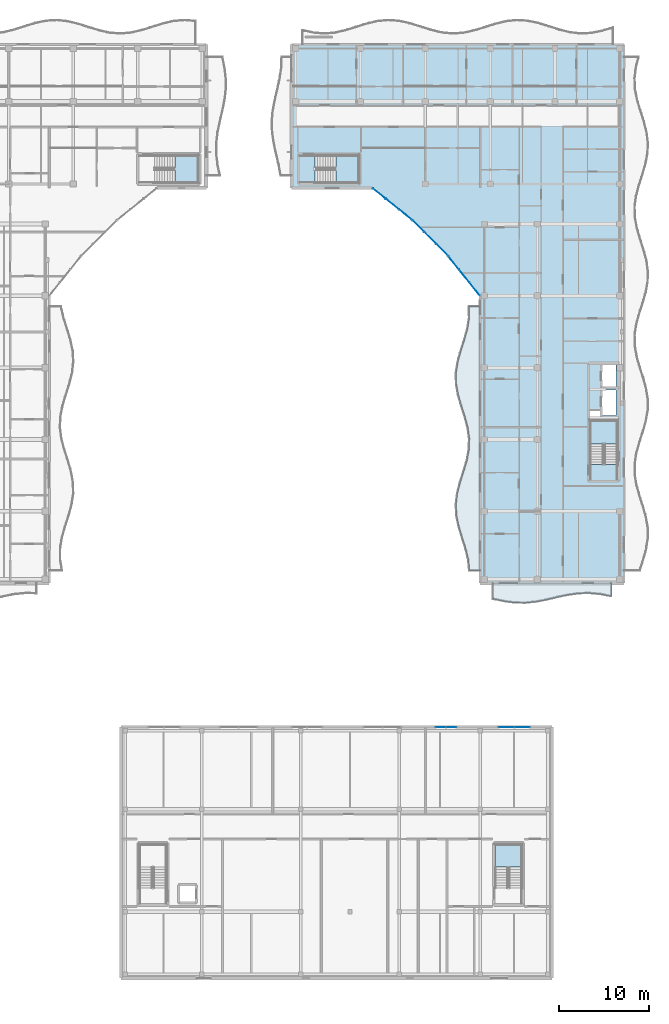
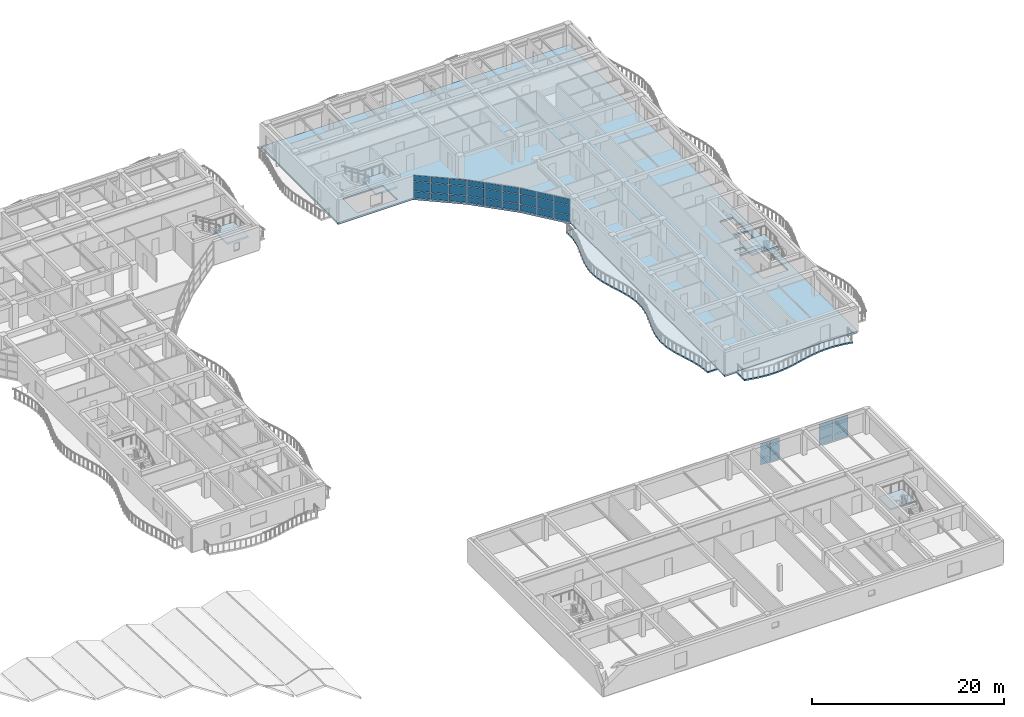
# One storey, part 43 of 89: 39 plates, 7 slabs, 9 elements without a shape of their own.
"""IFC4 building model written with IfcOpenShell, lengths in metres."""

from ifc_helpers import new_model, si_unit, direction, frame, origin, origin_2d, place, context, subcontext, project, spatial, polyline, rectangle, outline, extrude, material, layer, layer_set, type_object, element, aggregate, save


model = new_model("IFC4")

# Units and contexts
model_context = context("Model", 3, precision=1e-05, world=origin(), true_north=direction((0.0, 1.0)))
body_context = subcontext(model_context, "Body", "Model", "MODEL_VIEW")
ifc_project = project(units=[si_unit("LENGTHUNIT", "METRE"), si_unit("AREAUNIT", "SQUARE_METRE"), si_unit("VOLUMEUNIT", "CUBIC_METRE"), si_unit("PLANEANGLEUNIT", "RADIAN"), si_unit("MASSUNIT", "GRAM", prefix="KILO")], contexts=[model_context])

# Site, building, storey
site_placement = place(None, origin())
site = spatial("IfcSite", under=ifc_project, at=site_placement, CompositionType="ELEMENT")
building_placement = place(site_placement, origin())
building = spatial("IfcBuilding", under=site, at=building_placement, Name="Keldmere Railside Commons", CompositionType="ELEMENT")
storey_placement = place(building_placement, frame((0.0, 0.0, 7.360107421875)))
storey = spatial("IfcBuildingStorey", under=building, at=storey_placement, Name="L02", CompositionType="ELEMENT", Elevation=7.360107421875)

# Curtain wall, plates
ifc_material_1 = material(Name="Thermally Broken Aluminium", Category="aluminium")
ifc_layer_1 = layer(ifc_material_1, 0.159912109375, Name="Court Chord Wintergarden CW 5400x2850")
ifc_layer_set_1 = layer_set([ifc_layer_1], Name="Thermally Broken Aluminium")
curtain_wall_type_1 = type_object("IfcCurtainWallType", Name="Court Chord Wintergarden CW 5400x2850", PredefinedType="NOTDEFINED", material=ifc_layer_set_1)
curtain_wall_1_placement = place(storey_placement, origin())
curtain_wall_1 = element("IfcCurtainWall", 1, at=curtain_wall_1_placement, inside=storey, type_object=curtain_wall_type_1, Name="CW-13 CW-L02-163", PredefinedType="NOTDEFINED")
ifc_material_2 = material(Name="Low-E Insulated Double Glazing", Category="glass")
ifc_layer_2 = layer(ifc_material_2, 0.033935546875, Name="Acoustic Laminated Vision Panel 34")
ifc_layer_set_2 = layer_set([ifc_layer_2], Name="Low-E Insulated Double Glazing")
plate_type_1 = type_object("IfcPlateType", Name="Acoustic Laminated Vision Panel 34", PredefinedType="CURTAIN_PANEL", material=ifc_layer_set_2)
plate_1_placement = place(storey_placement, frame((159.678955078125, 97.048583984375, 0.06494140625), z_axis=(0.0, 0.0, 1.0), x_axis=(-0.780009172323, 0.625768080915, 0.0)))
plate_1 = element("IfcPlate", 2, at=plate_1_placement, type_object=plate_type_1, Name="CW-13 panel 1.1", PredefinedType="CURTAIN_PANEL", context=body_context, shape_type="SweptSolid", body=[
    extrude(rectangle(XDim=1.795654296875, YDim=0.033935546875, at=origin_2d()), origin(), (0.0, 0.0, 1.0), 0.802490234375),
])
plate_2_placement = place(storey_placement, frame((159.678955078125, 97.048583984375, 0.932373046875), z_axis=(0.0, 0.0, 1.0), x_axis=(-0.780009172323, 0.625768080915, 0.0)))
plate_2 = element("IfcPlate", 3, at=plate_2_placement, type_object=plate_type_1, Name="CW-13 panel 1.2", PredefinedType="CURTAIN_PANEL", context=body_context, shape_type="SweptSolid", body=[
    extrude(rectangle(XDim=1.795654296875, YDim=0.033935546875, at=origin_2d()), origin(), (0.0, 0.0, 1.0), 1.18505859375),
])
plate_3_placement = place(storey_placement, frame((159.678955078125, 97.048583984375, 2.182373046875), z_axis=(0.0, 0.0, 1.0), x_axis=(-0.780009172323, 0.625768080915, 0.0)))
plate_3 = element("IfcPlate", 4, at=plate_3_placement, type_object=plate_type_1, Name="CW-13 panel 1.3", PredefinedType="CURTAIN_PANEL", context=body_context, shape_type="SweptSolid", body=[
    extrude(rectangle(XDim=1.795654296875, YDim=0.033935546875, at=origin_2d()), origin(), (0.0, 0.0, 1.0), 0.732421875),
])
plate_4_placement = place(storey_placement, frame((158.215087890625, 98.222900390625, 0.06494140625), z_axis=(0.0, 0.0, 1.0), x_axis=(-0.780009172323, 0.625768080915, 0.0)))
plate_4 = element("IfcPlate", 5, at=plate_4_placement, type_object=plate_type_1, Name="CW-13 panel 2.1", PredefinedType="CURTAIN_PANEL", context=body_context, shape_type="SweptSolid", body=[
    extrude(rectangle(XDim=1.828125, YDim=0.033935546875, at=origin_2d()), origin(), (0.0, 0.0, 1.0), 0.802490234375),
])
plate_5_placement = place(storey_placement, frame((158.215087890625, 98.222900390625, 0.932373046875), z_axis=(0.0, 0.0, 1.0), x_axis=(-0.780009172323, 0.625768080915, 0.0)))
plate_5 = element("IfcPlate", 6, at=plate_5_placement, type_object=plate_type_1, Name="CW-13 panel 2.2", PredefinedType="CURTAIN_PANEL", context=body_context, shape_type="SweptSolid", body=[
    extrude(rectangle(XDim=1.828125, YDim=0.033935546875, at=origin_2d()), origin(), (0.0, 0.0, 1.0), 1.18505859375),
])
plate_6_placement = place(storey_placement, frame((158.215087890625, 98.222900390625, 2.182373046875), z_axis=(0.0, 0.0, 1.0), x_axis=(-0.780009172323, 0.625768080915, 0.0)))
plate_6 = element("IfcPlate", 7, at=plate_6_placement, type_object=plate_type_1, Name="CW-13 panel 2.3", PredefinedType="CURTAIN_PANEL", context=body_context, shape_type="SweptSolid", body=[
    extrude(rectangle(XDim=1.828125, YDim=0.033935546875, at=origin_2d()), origin(), (0.0, 0.0, 1.0), 0.732421875),
])
plate_7_placement = place(storey_placement, frame((156.7509765625, 99.3974609375, 0.06494140625), z_axis=(0.0, 0.0, 1.0), x_axis=(-0.780009172323, 0.625768080915, 0.0)))
plate_7 = element("IfcPlate", 8, at=plate_7_placement, type_object=plate_type_1, Name="CW-13 panel 3.1", PredefinedType="CURTAIN_PANEL", context=body_context, shape_type="SweptSolid", body=[
    extrude(rectangle(XDim=1.795654296875, YDim=0.033935546875, at=origin_2d()), origin(), (0.0, 0.0, 1.0), 0.802490234375),
])
plate_8_placement = place(storey_placement, frame((156.7509765625, 99.3974609375, 0.932373046875), z_axis=(0.0, 0.0, 1.0), x_axis=(-0.780009172323, 0.625768080915, 0.0)))
plate_8 = element("IfcPlate", 9, at=plate_8_placement, type_object=plate_type_1, Name="CW-13 panel 3.2", PredefinedType="CURTAIN_PANEL", context=body_context, shape_type="SweptSolid", body=[
    extrude(rectangle(XDim=1.795654296875, YDim=0.033935546875, at=origin_2d()), origin(), (0.0, 0.0, 1.0), 1.18505859375),
])
plate_9_placement = place(storey_placement, frame((156.7509765625, 99.3974609375, 2.182373046875), z_axis=(0.0, 0.0, 1.0), x_axis=(-0.780009172323, 0.625768080915, 0.0)))
plate_9 = element("IfcPlate", 10, at=plate_9_placement, type_object=plate_type_1, Name="CW-13 panel 3.3", PredefinedType="CURTAIN_PANEL", context=body_context, shape_type="SweptSolid", body=[
    extrude(rectangle(XDim=1.795654296875, YDim=0.033935546875, at=origin_2d()), origin(), (0.0, 0.0, 1.0), 0.732421875),
])
aggregate(curtain_wall_1, [plate_1, plate_2, plate_3, plate_4, plate_5, plate_6, plate_7, plate_8, plate_9])

ifc_layer_3 = layer(ifc_material_1, 0.159912109375, Name="Market Arcade Upper Gallery CW 3600x2800")
ifc_layer_set_3 = layer_set([ifc_layer_3], Name="Thermally Broken Aluminium")
curtain_wall_type_2 = type_object("IfcCurtainWallType", Name="Market Arcade Upper Gallery CW 3600x2800", PredefinedType="NOTDEFINED", material=ifc_layer_set_3)
curtain_wall_2_placement = place(storey_placement, origin())
curtain_wall_2 = element("IfcCurtainWall", 11, at=curtain_wall_2_placement, inside=storey, type_object=curtain_wall_type_2, Name="CW-03 CW-L02-229", PredefinedType="NOTDEFINED")
plate_10_placement = place(storey_placement, frame((170.916259765625, 39.949951171875, 0.06494140625), z_axis=(0.0, 0.0, 1.0), x_axis=(1.0, 0.0, 0.0)))
plate_10 = element("IfcPlate", 12, at=plate_10_placement, type_object=plate_type_1, Name="CW-03 panel 1.1", PredefinedType="CURTAIN_PANEL", context=body_context, shape_type="SweptSolid", body=[
    extrude(rectangle(XDim=1.702392578125, YDim=0.033935546875, at=origin_2d()), origin(), (0.0, 0.0, 1.0), 0.802490234375),
])
plate_11_placement = place(storey_placement, frame((170.916259765625, 39.949951171875, 0.932373046875), z_axis=(0.0, 0.0, 1.0), x_axis=(1.0, 0.0, 0.0)))
plate_11 = element("IfcPlate", 13, at=plate_11_placement, type_object=plate_type_1, Name="CW-03 panel 1.2", PredefinedType="CURTAIN_PANEL", context=body_context, shape_type="SweptSolid", body=[
    extrude(rectangle(XDim=1.702392578125, YDim=0.033935546875, at=origin_2d()), origin(), (0.0, 0.0, 1.0), 1.0849609375),
])
plate_12_placement = place(storey_placement, frame((170.916259765625, 39.949951171875, 2.08251953125), z_axis=(0.0, 0.0, 1.0), x_axis=(1.0, 0.0, 0.0)))
plate_12 = element("IfcPlate", 14, at=plate_12_placement, type_object=plate_type_1, Name="CW-03 panel 1.3", PredefinedType="CURTAIN_PANEL", context=body_context, shape_type="SweptSolid", body=[
    extrude(rectangle(XDim=1.702392578125, YDim=0.033935546875, at=origin_2d()), origin(), (0.0, 0.0, 1.0), 0.652587890625),
])
plate_13_placement = place(storey_placement, frame((172.683837890625, 39.949951171875, 0.06494140625), z_axis=(0.0, 0.0, 1.0), x_axis=(1.0, 0.0, 0.0)))
plate_13 = element("IfcPlate", 15, at=plate_13_placement, type_object=plate_type_1, Name="CW-03 panel 2.1", PredefinedType="CURTAIN_PANEL", context=body_context, shape_type="SweptSolid", body=[
    extrude(rectangle(XDim=1.702392578125, YDim=0.033935546875, at=origin_2d()), origin(), (0.0, 0.0, 1.0), 0.802490234375),
])
plate_14_placement = place(storey_placement, frame((172.683837890625, 39.949951171875, 0.932373046875), z_axis=(0.0, 0.0, 1.0), x_axis=(1.0, 0.0, 0.0)))
plate_14 = element("IfcPlate", 16, at=plate_14_placement, type_object=plate_type_1, Name="CW-03 panel 2.2", PredefinedType="CURTAIN_PANEL", context=body_context, shape_type="SweptSolid", body=[
    extrude(rectangle(XDim=1.702392578125, YDim=0.033935546875, at=origin_2d()), origin(), (0.0, 0.0, 1.0), 1.0849609375),
])
plate_15_placement = place(storey_placement, frame((172.683837890625, 39.949951171875, 2.08251953125), z_axis=(0.0, 0.0, 1.0), x_axis=(1.0, 0.0, 0.0)))
plate_15 = element("IfcPlate", 17, at=plate_15_placement, type_object=plate_type_1, Name="CW-03 panel 2.3", PredefinedType="CURTAIN_PANEL", context=body_context, shape_type="SweptSolid", body=[
    extrude(rectangle(XDim=1.702392578125, YDim=0.033935546875, at=origin_2d()), origin(), (0.0, 0.0, 1.0), 0.652587890625),
])
aggregate(curtain_wall_2, [plate_10, plate_11, plate_12, plate_13, plate_14, plate_15])

# Stair, slab
ifc_material_3 = material(Name="Concrete H-30 (C30/37)", Category="concrete")
stair_type_1 = type_object("IfcStairType", Name="Market Arcade Public Dogleg Stair 1420", PredefinedType="HALF_TURN_STAIR", material=ifc_material_3)
stair_1_placement = place(storey_placement, origin())
stair_1 = element("IfcStair", 18, at=stair_1_placement, inside=storey, type_object=stair_type_1, Name="L02 Market Arcade Escape Stair ST-M2", PredefinedType="HALF_TURN_STAIR")
ifc_layer_4 = layer(ifc_material_3, 0.2099609375, Name="Civic Stair Landing Slab 210")
ifc_layer_set_4 = layer_set([ifc_layer_4], Name="Concrete H-30 (C30/37)")
slab_type_1 = type_object("IfcSlabType", Name="Civic Stair Landing Slab 210", PredefinedType="LANDING", material=ifc_layer_set_4)
slab_1_placement = place(storey_placement, frame((0.0, 0.0, 1.39990234375)))
slab_1 = element("IfcSlab", 19, at=slab_1_placement, type_object=slab_type_1, Name="ST-M2 landing 1", PredefinedType="LANDING", context=body_context, shape_type="SweptSolid", body=[
    extrude(outline(polyline([(172.64990234375, 24.3701171875), (172.64990234375, 26.89990234375), (169.659912109375, 26.89990234375), (169.659912109375, 24.3701171875), (172.64990234375, 24.3701171875)])), origin(), (0.0, 0.0, 1.0), 0.199951171875),
])
aggregate(stair_1, [slab_1])

# Curtain wall, plates
ifc_layer_5 = layer(ifc_material_1, 0.159912109375, Name="Court Chord Wintergarden CW 4800x2850")
ifc_layer_set_5 = layer_set([ifc_layer_5], Name="Thermally Broken Aluminium")
curtain_wall_type_3 = type_object("IfcCurtainWallType", Name="Court Chord Wintergarden CW 4800x2850", PredefinedType="NOTDEFINED", material=ifc_layer_set_5)
curtain_wall_3_placement = place(storey_placement, origin())
curtain_wall_3 = element("IfcCurtainWall", 20, at=curtain_wall_3_placement, inside=storey, type_object=curtain_wall_type_3, Name="CW-12 CW-L02-164", PredefinedType="NOTDEFINED")
ifc_layer_6 = layer(ifc_material_2, 0.031982421875, Name="Clerestory Solar-Control Vision Panel 32")
ifc_layer_set_6 = layer_set([ifc_layer_6], Name="Low-E Insulated Double Glazing")
plate_type_2 = type_object("IfcPlateType", Name="Clerestory Solar-Control Vision Panel 32", PredefinedType="CURTAIN_PANEL", material=ifc_layer_set_6)
plate_16_placement = place(storey_placement, frame((163.76513671875, 93.11083984375, 0.06494140625), z_axis=(0.0, 0.0, 1.0), x_axis=(-0.707106781187, 0.707106781187, 0.0)))
plate_16 = element("IfcPlate", 21, at=plate_16_placement, type_object=plate_type_2, Name="CW-12 panel 1.1", PredefinedType="CURTAIN_PANEL", context=body_context, shape_type="SweptSolid", body=[
    extrude(rectangle(XDim=1.795654296875, YDim=0.031982421875, at=origin_2d()), origin(), (0.0, 0.0, 1.0), 0.802490234375),
])
plate_17_placement = place(storey_placement, frame((163.76513671875, 93.11083984375, 0.932373046875), z_axis=(0.0, 0.0, 1.0), x_axis=(-0.707106781187, 0.707106781187, 0.0)))
plate_17 = element("IfcPlate", 22, at=plate_17_placement, type_object=plate_type_2, Name="CW-12 panel 1.2", PredefinedType="CURTAIN_PANEL", context=body_context, shape_type="SweptSolid", body=[
    extrude(rectangle(XDim=1.795654296875, YDim=0.031982421875, at=origin_2d()), origin(), (0.0, 0.0, 1.0), 1.18505859375),
])
plate_18_placement = place(storey_placement, frame((163.76513671875, 93.11083984375, 2.182373046875), z_axis=(0.0, 0.0, 1.0), x_axis=(-0.707106781187, 0.707106781187, 0.0)))
plate_18 = element("IfcPlate", 23, at=plate_18_placement, type_object=plate_type_2, Name="CW-12 panel 1.3", PredefinedType="CURTAIN_PANEL", context=body_context, shape_type="SweptSolid", body=[
    extrude(rectangle(XDim=1.795654296875, YDim=0.031982421875, at=origin_2d()), origin(), (0.0, 0.0, 1.0), 0.732421875),
])
plate_19_placement = place(storey_placement, frame((162.43798828125, 94.43798828125, 0.06494140625), z_axis=(0.0, 0.0, 1.0), x_axis=(-0.707106781187, 0.707106781187, 0.0)))
plate_19 = element("IfcPlate", 24, at=plate_19_placement, type_object=plate_type_2, Name="CW-12 panel 2.1", PredefinedType="CURTAIN_PANEL", context=body_context, shape_type="SweptSolid", body=[
    extrude(rectangle(XDim=1.828125, YDim=0.031982421875, at=origin_2d()), origin(), (0.0, 0.0, 1.0), 0.802490234375),
])
plate_20_placement = place(storey_placement, frame((162.43798828125, 94.43798828125, 0.932373046875), z_axis=(0.0, 0.0, 1.0), x_axis=(-0.707106781187, 0.707106781187, 0.0)))
plate_20 = element("IfcPlate", 25, at=plate_20_placement, type_object=plate_type_2, Name="CW-12 panel 2.2", PredefinedType="CURTAIN_PANEL", context=body_context, shape_type="SweptSolid", body=[
    extrude(rectangle(XDim=1.828125, YDim=0.031982421875, at=origin_2d()), origin(), (0.0, 0.0, 1.0), 1.18505859375),
])
plate_21_placement = place(storey_placement, frame((162.43798828125, 94.43798828125, 2.182373046875), z_axis=(0.0, 0.0, 1.0), x_axis=(-0.707106781187, 0.707106781187, 0.0)))
plate_21 = element("IfcPlate", 26, at=plate_21_placement, type_object=plate_type_2, Name="CW-12 panel 2.3", PredefinedType="CURTAIN_PANEL", context=body_context, shape_type="SweptSolid", body=[
    extrude(rectangle(XDim=1.828125, YDim=0.031982421875, at=origin_2d()), origin(), (0.0, 0.0, 1.0), 0.732421875),
])
plate_22_placement = place(storey_placement, frame((161.11083984375, 95.76513671875, 0.06494140625), z_axis=(0.0, 0.0, 1.0), x_axis=(-0.707106781187, 0.707106781187, 0.0)))
plate_22 = element("IfcPlate", 27, at=plate_22_placement, type_object=plate_type_2, Name="CW-12 panel 3.1", PredefinedType="CURTAIN_PANEL", context=body_context, shape_type="SweptSolid", body=[
    extrude(rectangle(XDim=1.795654296875, YDim=0.031982421875, at=origin_2d()), origin(), (0.0, 0.0, 1.0), 0.802490234375),
])
plate_23_placement = place(storey_placement, frame((161.11083984375, 95.76513671875, 0.932373046875), z_axis=(0.0, 0.0, 1.0), x_axis=(-0.707106781187, 0.707106781187, 0.0)))
plate_23 = element("IfcPlate", 28, at=plate_23_placement, type_object=plate_type_2, Name="CW-12 panel 3.2", PredefinedType="CURTAIN_PANEL", context=body_context, shape_type="SweptSolid", body=[
    extrude(rectangle(XDim=1.795654296875, YDim=0.031982421875, at=origin_2d()), origin(), (0.0, 0.0, 1.0), 1.18505859375),
])
plate_24_placement = place(storey_placement, frame((161.11083984375, 95.76513671875, 2.182373046875), z_axis=(0.0, 0.0, 1.0), x_axis=(-0.707106781187, 0.707106781187, 0.0)))
plate_24 = element("IfcPlate", 29, at=plate_24_placement, type_object=plate_type_2, Name="CW-12 panel 3.3", PredefinedType="CURTAIN_PANEL", context=body_context, shape_type="SweptSolid", body=[
    extrude(rectangle(XDim=1.795654296875, YDim=0.031982421875, at=origin_2d()), origin(), (0.0, 0.0, 1.0), 0.732421875),
])
aggregate(curtain_wall_3, [plate_16, plate_17, plate_18, plate_19, plate_20, plate_21, plate_22, plate_23, plate_24])

# Stair, slab
stair_type_2 = type_object("IfcStairType", Name="Basement Garage Dogleg Escape Stair 1450", PredefinedType="HALF_TURN_STAIR", material=ifc_material_3)
stair_2_placement = place(storey_placement, origin())
stair_2 = element("IfcStair", 30, at=stair_2_placement, inside=storey, type_object=stair_type_2, Name="L02 Block B Secondary Escape Stair 2", PredefinedType="HALF_TURN_STAIR")
ifc_layer_7 = layer(ifc_material_3, 0.199951171875, Name="Enclosed Stair Landing Slab 200")
ifc_layer_set_7 = layer_set([ifc_layer_7], Name="Concrete H-30 (C30/37)")
slab_type_2 = type_object("IfcSlabType", Name="Enclosed Stair Landing Slab 200", PredefinedType="LANDING", material=ifc_layer_set_7)
slab_2_placement = place(storey_placement, frame((0.0, 0.0, 1.39990234375)))
slab_2 = element("IfcSlab", 31, at=slab_2_placement, type_object=slab_type_2, Name="ST-B2 landing 1", PredefinedType="LANDING", context=body_context, shape_type="SweptSolid", body=[
    extrude(outline(polyline([(134.02001953125, 100.60009765625), (136.60009765625, 100.60009765625), (136.60009765625, 103.64990234375), (134.02001953125, 103.64990234375), (134.02001953125, 100.60009765625)])), origin(), (0.0, 0.0, 1.0), 0.199951171875),
])
aggregate(stair_2, [slab_2])

stair_type_3 = type_object("IfcStairType", Name="Residential Core Dogleg Stair 1450", PredefinedType="HALF_TURN_STAIR", material=ifc_material_3)
stair_3_placement = place(storey_placement, origin())
stair_3 = element("IfcStair", 32, at=stair_3_placement, inside=storey, type_object=stair_type_3, Name="L02 Block A Primary Escape Stair 1", PredefinedType="HALF_TURN_STAIR")
slab_3_placement = place(storey_placement, frame((0.0, 0.0, 1.39990234375)))
slab_3 = element("IfcSlab", 33, at=slab_3_placement, type_object=slab_type_2, Name="ST-A1 landing 1", PredefinedType="LANDING", context=body_context, shape_type="SweptSolid", body=[
    extrude(outline(polyline([(183.300048828125, 71.52001953125), (183.300048828125, 74.10009765625), (180.25, 74.10009765625), (180.25, 71.52001953125), (183.300048828125, 71.52001953125)])), origin(), (0.0, 0.0, 1.0), 0.199951171875),
])
aggregate(stair_3, [slab_3])

stair_4_placement = place(storey_placement, origin())
stair_4 = element("IfcStair", 34, at=stair_4_placement, inside=storey, type_object=stair_type_3, Name="L02 Block A Secondary Escape Stair 2", PredefinedType="HALF_TURN_STAIR")
slab_4_placement = place(storey_placement, frame((0.0, 0.0, 1.39990234375)))
slab_4 = element("IfcSlab", 35, at=slab_4_placement, type_object=slab_type_2, Name="ST-A2 landing 1", PredefinedType="LANDING", context=body_context, shape_type="SweptSolid", body=[
    extrude(outline(polyline([(151.919921875, 100.60009765625), (154.5, 100.60009765625), (154.5, 103.64990234375), (151.919921875, 103.64990234375), (151.919921875, 100.60009765625)])), origin(), (0.0, 0.0, 1.0), 0.199951171875),
])
aggregate(stair_4, [slab_4])

# Curtain wall, plates
curtain_wall_4_placement = place(storey_placement, origin())
curtain_wall_4 = element("IfcCurtainWall", 36, at=curtain_wall_4_placement, inside=storey, type_object=curtain_wall_type_1, Name="CW-13 CW-L02-165", PredefinedType="NOTDEFINED")
ifc_layer_8 = layer(ifc_material_2, 0.028076171875, Name="Low-E Vision Glazing Panel 28")
ifc_layer_set_8 = layer_set([ifc_layer_8], Name="Low-E Insulated Double Glazing")
plate_type_3 = type_object("IfcPlateType", Name="Low-E Vision Glazing Panel 28", PredefinedType="CURTAIN_PANEL", material=ifc_layer_set_8)
plate_25_placement = place(storey_placement, frame((167.3974609375, 88.7509765625, 0.06494140625), z_axis=(0.0, 0.0, 1.0), x_axis=(-0.625768080915, 0.780009172323, 0.0)))
plate_25 = element("IfcPlate", 37, at=plate_25_placement, type_object=plate_type_3, Name="CW-13 panel 1.1", PredefinedType="CURTAIN_PANEL", context=body_context, shape_type="SweptSolid", body=[
    extrude(rectangle(XDim=1.795654296875, YDim=0.028076171875, at=origin_2d()), origin(), (0.0, 0.0, 1.0), 0.802490234375),
])
plate_26_placement = place(storey_placement, frame((167.3974609375, 88.7509765625, 0.932373046875), z_axis=(0.0, 0.0, 1.0), x_axis=(-0.625768080915, 0.780009172323, 0.0)))
plate_26 = element("IfcPlate", 38, at=plate_26_placement, type_object=plate_type_3, Name="CW-13 panel 1.2", PredefinedType="CURTAIN_PANEL", context=body_context, shape_type="SweptSolid", body=[
    extrude(rectangle(XDim=1.795654296875, YDim=0.028076171875, at=origin_2d()), origin(), (0.0, 0.0, 1.0), 1.18505859375),
])
plate_27_placement = place(storey_placement, frame((167.3974609375, 88.7509765625, 2.182373046875), z_axis=(0.0, 0.0, 1.0), x_axis=(-0.625768080915, 0.780009172323, 0.0)))
plate_27 = element("IfcPlate", 39, at=plate_27_placement, type_object=plate_type_3, Name="CW-13 panel 1.3", PredefinedType="CURTAIN_PANEL", context=body_context, shape_type="SweptSolid", body=[
    extrude(rectangle(XDim=1.795654296875, YDim=0.028076171875, at=origin_2d()), origin(), (0.0, 0.0, 1.0), 0.732421875),
])
plate_28_placement = place(storey_placement, frame((166.222900390625, 90.215087890625, 0.06494140625), z_axis=(0.0, 0.0, 1.0), x_axis=(-0.625768080915, 0.780009172323, 0.0)))
plate_28 = element("IfcPlate", 40, at=plate_28_placement, type_object=plate_type_3, Name="CW-13 panel 2.1", PredefinedType="CURTAIN_PANEL", context=body_context, shape_type="SweptSolid", body=[
    extrude(rectangle(XDim=1.828125, YDim=0.028076171875, at=origin_2d()), origin(), (0.0, 0.0, 1.0), 0.802490234375),
])
plate_29_placement = place(storey_placement, frame((166.222900390625, 90.215087890625, 0.932373046875), z_axis=(0.0, 0.0, 1.0), x_axis=(-0.625768080915, 0.780009172323, 0.0)))
plate_29 = element("IfcPlate", 41, at=plate_29_placement, type_object=plate_type_3, Name="CW-13 panel 2.2", PredefinedType="CURTAIN_PANEL", context=body_context, shape_type="SweptSolid", body=[
    extrude(rectangle(XDim=1.828125, YDim=0.028076171875, at=origin_2d()), origin(), (0.0, 0.0, 1.0), 1.18505859375),
])
plate_30_placement = place(storey_placement, frame((166.222900390625, 90.215087890625, 2.182373046875), z_axis=(0.0, 0.0, 1.0), x_axis=(-0.625768080915, 0.780009172323, 0.0)))
plate_30 = element("IfcPlate", 42, at=plate_30_placement, type_object=plate_type_3, Name="CW-13 panel 2.3", PredefinedType="CURTAIN_PANEL", context=body_context, shape_type="SweptSolid", body=[
    extrude(rectangle(XDim=1.828125, YDim=0.028076171875, at=origin_2d()), origin(), (0.0, 0.0, 1.0), 0.732421875),
])
plate_31_placement = place(storey_placement, frame((165.048583984375, 91.678955078125, 0.06494140625), z_axis=(0.0, 0.0, 1.0), x_axis=(-0.625768080915, 0.780009172323, 0.0)))
plate_31 = element("IfcPlate", 43, at=plate_31_placement, type_object=plate_type_3, Name="CW-13 panel 3.1", PredefinedType="CURTAIN_PANEL", context=body_context, shape_type="SweptSolid", body=[
    extrude(rectangle(XDim=1.795654296875, YDim=0.028076171875, at=origin_2d()), origin(), (0.0, 0.0, 1.0), 0.802490234375),
])
plate_32_placement = place(storey_placement, frame((165.048583984375, 91.678955078125, 0.932373046875), z_axis=(0.0, 0.0, 1.0), x_axis=(-0.625768080915, 0.780009172323, 0.0)))
plate_32 = element("IfcPlate", 44, at=plate_32_placement, type_object=plate_type_3, Name="CW-13 panel 3.2", PredefinedType="CURTAIN_PANEL", context=body_context, shape_type="SweptSolid", body=[
    extrude(rectangle(XDim=1.795654296875, YDim=0.028076171875, at=origin_2d()), origin(), (0.0, 0.0, 1.0), 1.18505859375),
])
plate_33_placement = place(storey_placement, frame((165.048583984375, 91.678955078125, 2.182373046875), z_axis=(0.0, 0.0, 1.0), x_axis=(-0.625768080915, 0.780009172323, 0.0)))
plate_33 = element("IfcPlate", 45, at=plate_33_placement, type_object=plate_type_3, Name="CW-13 panel 3.3", PredefinedType="CURTAIN_PANEL", context=body_context, shape_type="SweptSolid", body=[
    extrude(rectangle(XDim=1.795654296875, YDim=0.028076171875, at=origin_2d()), origin(), (0.0, 0.0, 1.0), 0.732421875),
])
aggregate(curtain_wall_4, [plate_25, plate_26, plate_27, plate_28, plate_29, plate_30, plate_31, plate_32, plate_33])

ifc_layer_9 = layer(ifc_material_1, 0.159912109375, Name="Stair Tower Daylit Strip CW 2400x2850")
ifc_layer_set_9 = layer_set([ifc_layer_9], Name="Thermally Broken Aluminium")
curtain_wall_type_4 = type_object("IfcCurtainWallType", Name="Stair Tower Daylit Strip CW 2400x2850", PredefinedType="NOTDEFINED", material=ifc_layer_set_9)
curtain_wall_5_placement = place(storey_placement, origin())
curtain_wall_5 = element("IfcCurtainWall", 46, at=curtain_wall_5_placement, inside=storey, type_object=curtain_wall_type_4, Name="CW-18 CW-L02-228", PredefinedType="NOTDEFINED")
plate_34_placement = place(storey_placement, frame((163.6162109375, 39.949951171875, 0.06494140625), z_axis=(0.0, 0.0, 1.0), x_axis=(1.0, 0.0, 0.0)))
plate_34 = element("IfcPlate", 47, at=plate_34_placement, type_object=plate_type_3, Name="CW-18 panel 1.1", PredefinedType="CURTAIN_PANEL", context=body_context, shape_type="SweptSolid", body=[
    extrude(rectangle(XDim=1.1025390625, YDim=0.028076171875, at=origin_2d()), origin(), (0.0, 0.0, 1.0), 0.802490234375),
])
plate_35_placement = place(storey_placement, frame((163.6162109375, 39.949951171875, 0.932373046875), z_axis=(0.0, 0.0, 1.0), x_axis=(1.0, 0.0, 0.0)))
plate_35 = element("IfcPlate", 48, at=plate_35_placement, type_object=plate_type_3, Name="CW-18 panel 1.2", PredefinedType="CURTAIN_PANEL", context=body_context, shape_type="SweptSolid", body=[
    extrude(rectangle(XDim=1.1025390625, YDim=0.028076171875, at=origin_2d()), origin(), (0.0, 0.0, 1.0), 1.0849609375),
])
plate_36_placement = place(storey_placement, frame((163.6162109375, 39.949951171875, 2.08251953125), z_axis=(0.0, 0.0, 1.0), x_axis=(1.0, 0.0, 0.0)))
plate_36 = element("IfcPlate", 49, at=plate_36_placement, type_object=plate_type_3, Name="CW-18 panel 1.3", PredefinedType="CURTAIN_PANEL", context=body_context, shape_type="SweptSolid", body=[
    extrude(rectangle(XDim=1.1025390625, YDim=0.028076171875, at=origin_2d()), origin(), (0.0, 0.0, 1.0), 0.652587890625),
])
plate_37_placement = place(storey_placement, frame((164.78369140625, 39.949951171875, 0.06494140625), z_axis=(0.0, 0.0, 1.0), x_axis=(1.0, 0.0, 0.0)))
plate_37 = element("IfcPlate", 50, at=plate_37_placement, type_object=plate_type_3, Name="CW-18 panel 2.1", PredefinedType="CURTAIN_PANEL", context=body_context, shape_type="SweptSolid", body=[
    extrude(rectangle(XDim=1.1025390625, YDim=0.028076171875, at=origin_2d()), origin(), (0.0, 0.0, 1.0), 0.802490234375),
])
plate_38_placement = place(storey_placement, frame((164.78369140625, 39.949951171875, 0.932373046875), z_axis=(0.0, 0.0, 1.0), x_axis=(1.0, 0.0, 0.0)))
plate_38 = element("IfcPlate", 51, at=plate_38_placement, type_object=plate_type_3, Name="CW-18 panel 2.2", PredefinedType="CURTAIN_PANEL", context=body_context, shape_type="SweptSolid", body=[
    extrude(rectangle(XDim=1.1025390625, YDim=0.028076171875, at=origin_2d()), origin(), (0.0, 0.0, 1.0), 1.0849609375),
])
plate_39_placement = place(storey_placement, frame((164.78369140625, 39.949951171875, 2.08251953125), z_axis=(0.0, 0.0, 1.0), x_axis=(1.0, 0.0, 0.0)))
plate_39 = element("IfcPlate", 52, at=plate_39_placement, type_object=plate_type_3, Name="CW-18 panel 2.3", PredefinedType="CURTAIN_PANEL", context=body_context, shape_type="SweptSolid", body=[
    extrude(rectangle(XDim=1.1025390625, YDim=0.028076171875, at=origin_2d()), origin(), (0.0, 0.0, 1.0), 0.652587890625),
])
aggregate(curtain_wall_5, [plate_34, plate_35, plate_36, plate_37, plate_38, plate_39])

# Slabs
ifc_layer_10 = layer(ifc_material_3, 0.219970703125, Name="Residential Flat Slab 220")
ifc_layer_set_10 = layer_set([ifc_layer_10], Name="Concrete H-30 (C30/37)")
slab_type_3 = type_object("IfcSlabType", Name="Residential Flat Slab 220", PredefinedType="FLOOR", material=ifc_layer_set_10)
slab_5_placement = place(storey_placement, frame((0.0, 0.0, -0.22021484375)))
element("IfcSlab", 53, at=slab_5_placement, inside=storey, type_object=slab_type_3, Name="FS-2 BLKA-L02-055", PredefinedType="FLOOR", context=body_context, shape_type="SweptSolid", body=[
    extrude(outline(polyline([(168.0, 56.0), (184.0, 56.0), (184.0, 116.0), (147.0, 116.0), (147.0, 100.0), (156.0, 100.0), (160.429931640625, 96.446044921875), (164.446044921875, 92.429931640625), (168.0, 88.0), (168.0, 56.0)]), holes=[polyline([(180.27490234375, 69.22509765625), (180.27490234375, 74.074951171875), (183.27490234375, 74.074951171875), (183.27490234375, 69.22509765625), (180.27490234375, 69.22509765625)]), polyline([(180.219970703125, 74.419921875), (180.219970703125, 75.159912109375), (181.320068359375, 75.159912109375), (181.320068359375, 74.419921875), (180.219970703125, 74.419921875)]), polyline([(181.5, 74.699951171875), (181.5, 77.5), (183.10009765625, 77.5), (183.10009765625, 74.699951171875), (181.5, 74.699951171875)]), polyline([(183.10009765625, 77.75), (181.5, 77.75), (181.5, 80.39990234375), (183.10009765625, 80.39990234375), (183.10009765625, 77.75)]), polyline([(149.625, 103.625), (154.47509765625, 103.625), (154.47509765625, 100.625), (149.625, 100.625), (149.625, 103.625)])]), origin(), (0.0, 0.0, 1.0), 0.22021484375),
])
ifc_material_4 = material(Name="White Precast Concrete H-35 (C35/45)", Category="concrete")
ifc_layer_11 = layer(ifc_material_4, 0.179931640625, Name="Sinusoidal Wave Balcony Slab 180")
ifc_layer_set_11 = layer_set([ifc_layer_11], Name="White Precast Concrete H-35 (C35/45)")
slab_type_4 = type_object("IfcSlabType", Name="Sinusoidal Wave Balcony Slab 180", PredefinedType="FLOOR", material=ifc_layer_set_11)
slab_6_placement = place(storey_placement, frame((0.0, 0.0, -0.18017578125)))
element("IfcSlab", 54, at=slab_6_placement, inside=storey, type_object=slab_type_4, Name="WB-1 A L02 CW Wave Balcony", PredefinedType="FLOOR", context=body_context, shape_type="SweptSolid", body=[
    extrude(outline(polyline([(168.0, 57.39990234375), (168.0, 58.625), (168.0, 59.85009765625), (168.0, 61.074951171875), (168.0, 62.300048828125), (168.0, 63.52490234375), (168.0, 64.75), (168.0, 65.97509765625), (168.0, 67.199951171875), (168.0, 68.425048828125), (168.0, 69.64990234375), (168.0, 70.875), (168.0, 72.10009765625), (168.0, 73.324951171875), (168.0, 74.550048828125), (168.0, 75.77490234375), (168.0, 77.0), (168.0, 78.22509765625), (168.0, 79.449951171875), (168.0, 80.675048828125), (168.0, 81.89990234375), (168.0, 83.125), (168.0, 84.35009765625), (168.0, 85.574951171875), (168.0, 86.800048828125), (166.7666015625, 86.800048828125), (166.779296875, 85.574951171875), (166.588623046875, 84.35009765625), (166.247802734375, 83.125), (165.8515625, 81.89990234375), (165.5107421875, 80.675048828125), (165.3203125, 79.449951171875), (165.33349609375, 78.22509765625), (165.546630859375, 77.0), (165.900146484375, 75.77490234375), (166.29541015625, 74.550048828125), (166.622314453125, 73.324951171875), (166.789306640625, 72.10009765625), (166.750244140625, 70.875), (166.515869140625, 69.64990234375), (166.151611328125, 68.425048828125), (165.7587890625, 67.199951171875), (165.447265625, 65.97509765625), (165.303955078125, 64.75), (165.36865234375, 63.52490234375), (165.62353515625, 62.300048828125), (165.997314453125, 61.074951171875), (166.3857421875, 59.85009765625), (166.6806640625, 58.625), (166.799560546875, 57.39990234375), (168.0, 57.39990234375)])), origin(), (0.0, 0.0, 1.0), 0.18017578125),
])
slab_7_placement = place(storey_placement, frame((0.0, 0.0, -0.18017578125)))
element("IfcSlab", 55, at=slab_7_placement, inside=storey, type_object=slab_type_4, Name="WB-1 A L02 S Wave Balcony", PredefinedType="FLOOR", context=body_context, shape_type="SweptSolid", body=[
    extrude(outline(polyline([(169.39990234375, 54.2587890625), (170.60009765625, 53.999755859375), (171.800048828125, 53.834716796875), (173.0, 53.8076171875), (174.199951171875, 53.926025390625), (175.39990234375, 54.157958984375), (176.60009765625, 54.44140625), (177.800048828125, 54.7001953125), (179.0, 54.865478515625), (180.199951171875, 54.892333984375), (181.39990234375, 54.77392578125), (182.60009765625, 54.5419921875), (182.60009765625, 56.0), (181.39990234375, 56.0), (180.199951171875, 56.0), (179.0, 56.0), (177.800048828125, 56.0), (176.60009765625, 56.0), (175.39990234375, 56.0), (174.199951171875, 56.0), (173.0, 56.0), (171.800048828125, 56.0), (170.60009765625, 56.0), (169.39990234375, 56.0), (169.39990234375, 54.2587890625)])), origin(), (0.0, 0.0, 1.0), 0.18017578125),
])

save(model, "model.ifc")
